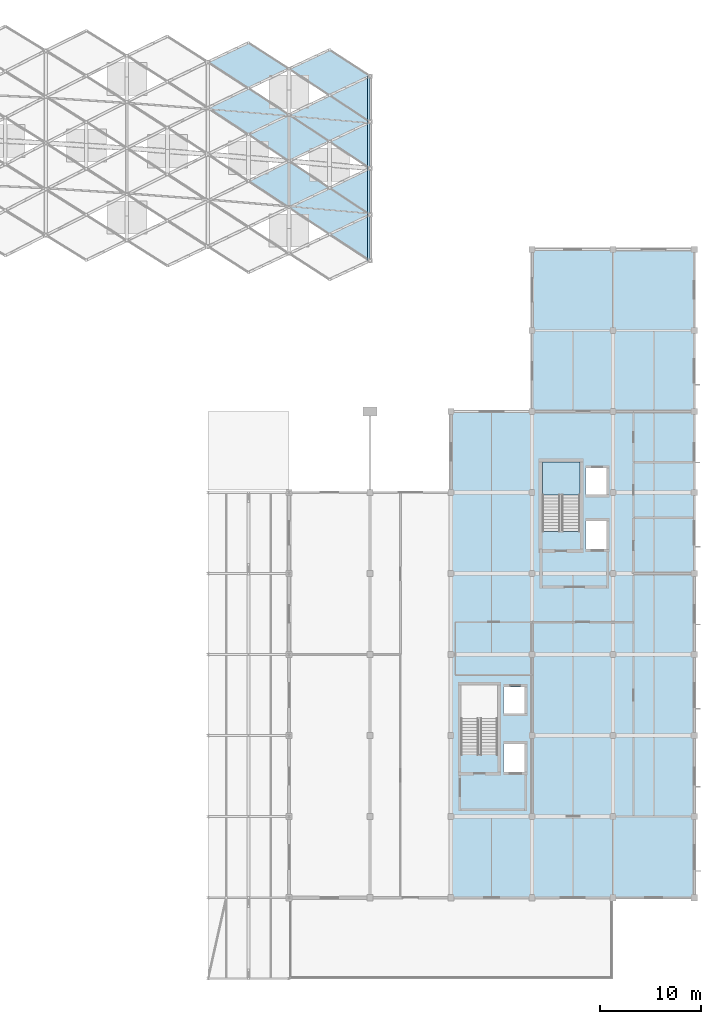
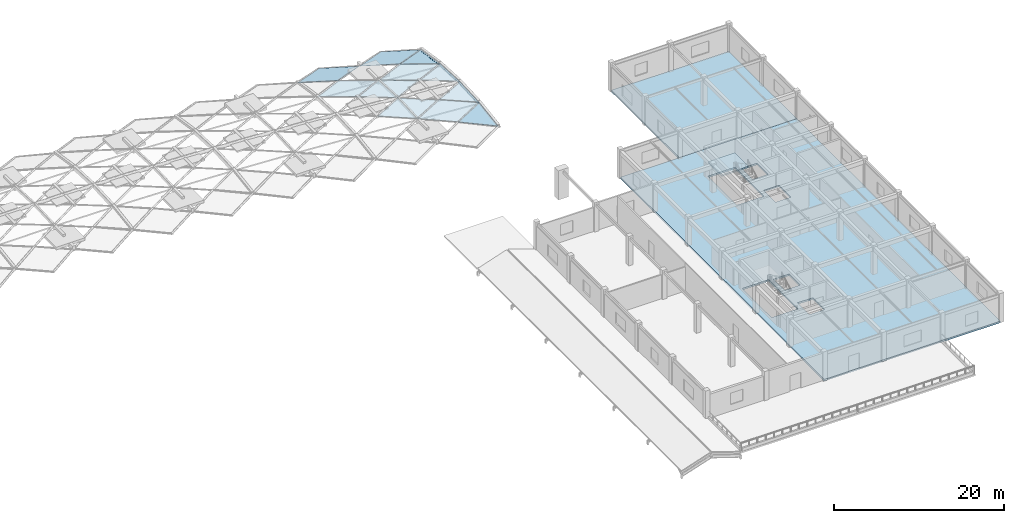
# One storey, part 13 of 27: 15 plates, 3 slabs, 1 element without a shape of its own.
"""IFC4 building model written with IfcOpenShell, lengths in metres."""

from ifc_helpers import new_model, si_unit, direction, frame, origin, place, context, subcontext, project, spatial, polyline, outline, extrude, material, layer, layer_set, type_object, element, aggregate, save


model = new_model("IFC4")

# Units and contexts
model_context = context("Model", 3, precision=1e-05, world=origin(), true_north=direction((0.0, 1.0)))
body_context = subcontext(model_context, "Body", "Model", "MODEL_VIEW")
ifc_project = project(units=[si_unit("LENGTHUNIT", "METRE"), si_unit("AREAUNIT", "SQUARE_METRE"), si_unit("VOLUMEUNIT", "CUBIC_METRE"), si_unit("PLANEANGLEUNIT", "RADIAN"), si_unit("MASSUNIT", "GRAM", prefix="KILO")], contexts=[model_context])

# Site, building, storey
site_placement = place(None, origin())
site = spatial("IfcSite", under=ifc_project, at=site_placement, CompositionType="ELEMENT")
building_placement = place(site_placement, origin())
building = spatial("IfcBuilding", under=site, at=building_placement, Name="Kenh Van Central Station", CompositionType="ELEMENT")
storey_placement = place(building_placement, frame((0.0, 0.0, 19.199951171875)))
storey = spatial("IfcBuildingStorey", under=building, at=storey_placement, Name="L04", CompositionType="ELEMENT", Elevation=19.199951171875)

# Plates
ifc_material_1 = material(Name="White fluoropolymer structural steel S355", Category="steel")
ifc_layer_1 = layer(ifc_material_1, 0.008056640625, Name="White fluoropolymer structural steel S355")
ifc_layer_set_1 = layer_set([ifc_layer_1], Name="White fluoropolymer structural steel S355")
plate_type_1 = type_object("IfcPlateType", Name="PLT-FASCIA-SH1", PredefinedType="SHEET", material=ifc_layer_set_1)
plate_1_placement = place(storey_placement, frame((144.0, 83.419677734375, 1.7744140625), z_axis=(0.0, -0.049191480968, 0.998789366283), x_axis=(-1.0, 0.0, 0.0)))
element("IfcPlate", 1, at=plate_1_placement, inside=storey, type_object=plate_type_1, Name="Vault portal arch trim plate 18", PredefinedType="SHEET", context=body_context, shape_type="SweptSolid", body=[
    extrude(outline(polyline([(0.0, 0.0), (0.260009765625, 0.0), (0.260009765625, -4.585874079407097), (0.0, -4.585874079407097), (0.0, 0.0)])), origin(), (0.0, 0.0, -1.0), 0.008056640625),
])
ifc_layer_2 = layer(ifc_material_1, 0.010009765625, Name="White fluoropolymer structural steel S355")
ifc_layer_set_2 = layer_set([ifc_layer_2], Name="White fluoropolymer structural steel S355")
plate_type_2 = type_object("IfcPlateType", Name="PLT-FASCIA-SH2", PredefinedType="SHEET", material=ifc_layer_set_2)
plate_2_placement = place(storey_placement, frame((144.0, 88.0, 2.0), z_axis=(0.0, 0.049191480968, 0.998789366283), x_axis=(-1.0, 0.0, 0.0)))
element("IfcPlate", 2, at=plate_2_placement, inside=storey, type_object=plate_type_2, Name="Vault portal arch trim plate 19", PredefinedType="SHEET", context=body_context, shape_type="SweptSolid", body=[
    extrude(outline(polyline([(0.0, 0.0), (0.260009765625, 0.0), (0.260009765625, -4.585874079407097), (0.0, -4.585874079407097), (0.0, 0.0)])), origin(), (0.0, 0.0, -1.0), 0.010009765625),
])
ifc_layer_3 = layer(ifc_material_1, 0.011962890625, Name="White fluoropolymer structural steel S355")
ifc_layer_set_3 = layer_set([ifc_layer_3], Name="White fluoropolymer structural steel S355")
plate_type_3 = type_object("IfcPlateType", Name="PLT-FASCIA-SH3", PredefinedType="SHEET", material=ifc_layer_set_3)
for number, where, z_axis, x_axis, name in (
    (3, (144.0, 78.886962890625, 1.081787109375), (0.0, -0.15105285867, 0.988525687015), (-1.0, 0.0, 0.0), "Vault portal arch trim plate 17"),
    (4, (144.0, 92.580322265625, 1.7744140625), (0.0, 0.15105285867, 0.988525687015), (-1.0, 0.0, 0.0), "Vault portal arch trim plate 20"),
):
    element("IfcPlate", number, at=place(storey_placement, frame(where, z_axis=z_axis, x_axis=x_axis)), inside=storey, type_object=plate_type_3, Name=name, PredefinedType="SHEET", context=body_context, shape_type="SweptSolid", body=[
        extrude(outline(polyline([(0.0, 0.0), (0.260009765625, 0.0), (0.260009765625, -4.585328336220517), (0.0, -4.585328336220517), (0.0, 0.0)])), origin(), (0.0, 0.0, -1.0), 0.011962890625),
    ])
ifc_material_2 = material(Name="Double-glazed low-E laminated solar glass", Category="glass")
ifc_layer_4 = layer(ifc_material_2, 0.02490234375, Name="Double-glazed low-E laminated solar glass")
ifc_layer_set_4 = layer_set([ifc_layer_4], Name="Double-glazed low-E laminated solar glass")
plate_type_4 = type_object("IfcPlateType", Name="PLT-VAULT-GLZ2", PredefinedType="SHEET", material=ifc_layer_set_4)
plate_3_placement = place(storey_placement, frame((132.011962890625, 86.764404296875, 1.91552734375), z_axis=(-0.00429503509, -0.049184399382, 0.998780480151), x_axis=(0.835367816029, -0.549190861248, -0.023452289105)))
element("IfcPlate", 5, at=plate_3_placement, inside=storey, type_object=plate_type_4, Name="Vault planar diamond skylight pane 239", PredefinedType="SHEET", context=body_context, shape_type="SweptSolid", body=[
    extrude(outline(polyline([(0.0, 0.0), (4.773988900019201, 1.9949319973733282e-16), (7.045689317537874, 3.8032979259967203), (2.266529792037398, 3.8107102697074557), (0.0, 0.0)])), origin(), (0.0, 0.0, -1.0), 0.02490234375),
])
plate_4_placement = place(storey_placement, frame((136.01220703125, 84.1337890625, 1.745361328125), z_axis=(-0.00883208562, -0.099224290654, 0.99502589635), x_axis=(0.834584508503, -0.548843550825, -0.047322879079)))
element("IfcPlate", 6, at=plate_4_placement, inside=storey, type_object=plate_type_4, Name="Vault planar diamond skylight pane 248", PredefinedType="SHEET", context=body_context, shape_type="SweptSolid", body=[
    extrude(outline(polyline([(0.0, 0.0), (4.777885337602728, 1.0408340855860843e-16), (7.046365463526813, 3.8040160659756497), (2.2652300849799896, 3.8071684963413914), (0.0, 0.0)])), origin(), (0.0, 0.0, -1.0), 0.02490234375),
])
plate_5_placement = place(storey_placement, frame((136.011474609375, 97.8173828125, 1.0498046875), z_axis=(0.018306583321, 0.205665776168, 0.97845105014), x_axis=(0.835173760103, -0.541162179921, 0.098123827171)))
element("IfcPlate", 7, at=plate_5_placement, inside=storey, type_object=plate_type_4, Name="Vault planar diamond skylight pane 250", PredefinedType="SHEET", context=body_context, shape_type="SweptSolid", body=[
    extrude(outline(polyline([(0.0, 0.0), (4.7762660677035464, -7.632783294297951e-16), (7.045611904728908, 3.8054115892668676), (2.2686591332999346, 3.8100023943013475), (0.0, 0.0)])), origin(), (0.0, 0.0, -1.0), 0.02490234375),
])
plate_6_placement = place(storey_placement, frame((143.994140625, 88.010498046875, 1.999755859375), z_axis=(0.018589431757, 0.049194906475, 0.998616189636), x_axis=(-0.000106959614, 0.998788870889, -0.049201422211)))
element("IfcPlate", 8, at=plate_6_placement, inside=storey, type_object=plate_type_4, Name="Vault border triangle skylight pane 267", PredefinedType="SHEET", context=body_context, shape_type="SweptSolid", body=[
    extrude(outline(polyline([(0.0, 0.0), (4.565099237079936, 0.0), (2.6396281777333357, 3.982583607689995), (0.0, 0.0)])), origin(), (0.0, 0.0, -1.0), 0.02490234375),
])
ifc_layer_5 = layer(ifc_material_2, 0.029052734375, Name="Double-glazed low-E laminated solar glass")
ifc_layer_set_5 = layer_set([ifc_layer_5], Name="Double-glazed low-E laminated solar glass")
plate_type_5 = type_object("IfcPlateType", Name="PLT-VAULT-GLZ4", PredefinedType="SHEET", material=ifc_layer_set_5)
plate_7_placement = place(storey_placement, frame((128.01171875, 93.96484375, 1.745849609375), z_axis=(0.008388244366, 0.099219385747, 0.995030226098), x_axis=(0.836755746846, -0.545525847081, 0.047343112341)))
element("IfcPlate", 9, at=plate_7_placement, inside=storey, type_object=plate_type_5, Name="Vault planar diamond skylight pane 231", PredefinedType="SHEET", context=body_context, shape_type="SweptSolid", body=[
    extrude(outline(polyline([(0.0, 0.0), (4.766655143870104, 4.718447854656915e-16), (7.041882968531983, 3.805830634203989), (2.2689168125569084, 3.817261846542855), (0.0, 0.0)])), origin(), (0.0, 0.0, -1.0), 0.029052734375),
])
plate_8_placement = place(storey_placement, frame((132.01171875, 91.347412109375, 1.915771484375), z_axis=(0.004299697276, 0.04923778819, 0.998777829558), x_axis=(0.835383375825, -0.549166157218, 0.023476523618)))
element("IfcPlate", 10, at=plate_8_placement, inside=storey, type_object=plate_type_5, Name="Vault planar diamond skylight pane 240", PredefinedType="SHEET", context=body_context, shape_type="SweptSolid", body=[
    extrude(outline(polyline([(0.0, 0.0), (4.7741928501431685, 4.891920202254596e-16), (7.045796220244935, 3.803099879827041), (2.2668351285274286, 3.8107913622567224), (0.0, 0.0)])), origin(), (0.0, 0.0, -1.0), 0.029052734375),
])
plate_9_placement = place(storey_placement, frame((143.994140625, 78.8974609375, 1.08349609375), z_axis=(0.001834263691, -0.151043824484, 0.988525365664), x_axis=(-0.000106971864, 0.988526993334, 0.151044271679)))
element("IfcPlate", 11, at=plate_9_placement, inside=storey, type_object=plate_type_5, Name="Vault border triangle skylight pane 263", PredefinedType="SHEET", context=body_context, shape_type="SweptSolid", body=[
    extrude(outline(polyline([(0.0, 0.0), (4.564576447256939, -4.336808689942018e-19), (2.6357683642475784, 3.9819025027104793), (0.0, 0.0)])), origin(), (0.0, 0.0, -1.0), 0.029052734375),
])
plate_10_placement = place(storey_placement, frame((143.994140625, 92.590576171875, 1.773193359375), z_axis=(0.028853762252, 0.150976452939, 0.988116172857), x_axis=(-0.000106966208, 0.988528213486, -0.15103628604)))
element("IfcPlate", 12, at=plate_10_placement, inside=storey, type_object=plate_type_5, Name="Vault border triangle skylight pane 269", PredefinedType="SHEET", context=body_context, shape_type="SweptSolid", body=[
    extrude(outline(polyline([(0.0, 0.0), (4.56481778700387, -3.469446951953614e-18), (2.635857438555618, 3.9835543881589315), (0.0, 0.0)])), origin(), (0.0, 0.0, -1.0), 0.029052734375),
])
ifc_layer_6 = layer(ifc_material_2, 0.034912109375, Name="Double-glazed low-E laminated solar glass")
ifc_layer_set_6 = layer_set([ifc_layer_6], Name="Double-glazed low-E laminated solar glass")
plate_type_6 = type_object("IfcPlateType", Name="PLT-VAULT-GLZ6", PredefinedType="SHEET", material=ifc_layer_set_6)
plate_11_placement = place(storey_placement, frame((128.011474609375, 98.493896484375, 1.05029296875), z_axis=(0.017392093927, 0.205720386889, 0.978456252209), x_axis=(0.837269542484, -0.537898129989, 0.098210564516)))
element("IfcPlate", 13, at=plate_11_placement, inside=storey, type_object=plate_type_6, Name="Vault planar diamond skylight pane 232", PredefinedType="SHEET", context=body_context, shape_type="SweptSolid", body=[
    extrude(outline(polyline([(0.0, 0.0), (4.76431522625912, 2.498001805406602e-16), (7.040837545895737, 3.8077643323939077), (2.2711724233808175, 3.8195428950872654), (0.0, 0.0)])), origin(), (0.0, 0.0, -1.0), 0.034912109375),
])
plate_12_placement = place(storey_placement, frame((136.01171875, 93.288330078125, 1.74560546875), z_axis=(0.00883208562, 0.099224290654, 0.99502589635), x_axis=(0.834646503331, -0.548750119266, 0.047313011775)))
element("IfcPlate", 14, at=plate_12_placement, inside=storey, type_object=plate_type_6, Name="Vault planar diamond skylight pane 249", PredefinedType="SHEET", context=body_context, shape_type="SweptSolid", body=[
    extrude(outline(polyline([(0.0, 0.0), (4.778700391810308, -3.434752482434078e-16), (7.046793606116286, 3.8032228896796125), (2.266473697177803, 3.807451301440749), (0.0, 0.0)])), origin(), (0.0, 0.0, -1.0), 0.034912109375),
])
plate_13_placement = place(storey_placement, frame((143.994140625, 83.43017578125, 1.775146484375), z_axis=(0.00980080239, -0.049144664378, 0.998743583827), x_axis=(-0.000106959895, 0.998791497567, 0.049148071657)))
element("IfcPlate", 15, at=plate_13_placement, inside=storey, type_object=plate_type_6, Name="Vault border triangle skylight pane 265", PredefinedType="SHEET", context=body_context, shape_type="SweptSolid", body=[
    extrude(outline(polyline([(0.0, 0.0), (4.565087231526477, -4.336808689942018e-19), (2.639811083766121, 3.9820866589470523), (0.0, 0.0)])), origin(), (0.0, 0.0, -1.0), 0.034912109375),
])

# Slabs
ifc_material_3 = material(Name="Concrete C35/45", Category="concrete")
ifc_layer_7 = layer(ifc_material_3, 0.239990234375, Name="Concrete C35/45")
ifc_layer_set_7 = layer_set([ifc_layer_7], Name="Concrete C35/45")
slab_type_1 = type_object("IfcSlabType", Name="SLB-FLR-240", PredefinedType="FLOOR", material=ifc_layer_set_7)
slab_1_placement = place(storey_placement, frame((0.0, 0.0, -0.239990234375)))
element("IfcSlab", 16, at=slab_1_placement, inside=storey, type_object=slab_type_1, Name="L04 slab SLB-L04-EB", PredefinedType="FLOOR", context=body_context, shape_type="SweptSolid", body=[
    extrude(outline(polyline([(152.0, 16.0), (176.0, 16.0), (176.0, 64.0), (152.0, 64.0), (152.0, 16.0)]), holes=[polyline([(165.25, 53.199951171875), (167.35009765625, 53.199951171875), (167.35009765625, 50.39990234375), (165.25, 50.39990234375), (165.25, 53.199951171875)]), polyline([(167.35009765625, 58.39990234375), (167.35009765625, 55.800048828125), (165.25, 55.800048828125), (165.25, 58.39990234375), (167.35009765625, 58.39990234375)]), polyline([(164.699951171875, 59.0), (164.699951171875, 52.1650390625), (161.0, 52.1650390625), (161.0, 59.0), (164.699951171875, 59.0)]), polyline([(157.14990234375, 31.199951171875), (159.25, 31.199951171875), (159.25, 28.39990234375), (157.14990234375, 28.39990234375), (157.14990234375, 31.199951171875)]), polyline([(159.25, 36.800048828125), (159.25, 34.199951171875), (157.14990234375, 34.199951171875), (157.14990234375, 36.800048828125), (159.25, 36.800048828125)]), polyline([(156.60009765625, 37.0), (156.60009765625, 30.114990234375), (153.0, 30.114990234375), (153.0, 37.0), (156.60009765625, 37.0)])]), origin(), (0.0, 0.0, 1.0), 0.239990234375),
])
slab_2_placement = place(storey_placement, frame((0.0, 0.0, -0.239990234375)))
element("IfcSlab", 17, at=slab_2_placement, inside=storey, type_object=slab_type_1, Name="L04 slab SLB-L04-EC", PredefinedType="FLOOR", context=body_context, shape_type="SweptSolid", body=[
    extrude(outline(polyline([(160.0, 64.0), (176.0, 64.0), (176.0, 80.0), (160.0, 80.0), (160.0, 64.0)])), origin(), (0.0, 0.0, 1.0), 0.239990234375),
])

# Stair, slab
stair_type = type_object("IfcStairType", Name="STR-DLG-1750", PredefinedType="HALF_TURN_STAIR", material=ifc_material_3)
stair_placement = place(storey_placement, origin())
stair = element("IfcStair", 18, at=stair_placement, inside=storey, type_object=stair_type, Name="L04 Operations North Firefighting and Goods Core", PredefinedType="HALF_TURN_STAIR")
ifc_layer_8 = layer(ifc_material_3, 0.199951171875, Name="Concrete C35/45")
ifc_layer_set_8 = layer_set([ifc_layer_8], Name="Concrete C35/45")
slab_type_2 = type_object("IfcSlabType", Name="SLB-LAND-200", PredefinedType="LANDING", material=ifc_layer_set_8)
slab_3_placement = place(storey_placement, frame((0.0, 0.0, 1.900146484375)))
slab_3 = element("IfcSlab", 19, at=slab_3_placement, type_object=slab_type_2, Name="ST-10 landing 1", PredefinedType="LANDING", context=body_context, shape_type="SweptSolid", body=[
    extrude(outline(polyline([(164.699951171875, 55.75), (164.699951171875, 59.0), (161.0, 59.0), (161.0, 55.75), (164.699951171875, 55.75)])), origin(), (0.0, 0.0, 1.0), 0.199951171875),
])
aggregate(stair, [slab_3])

save(model, "model.ifc")
